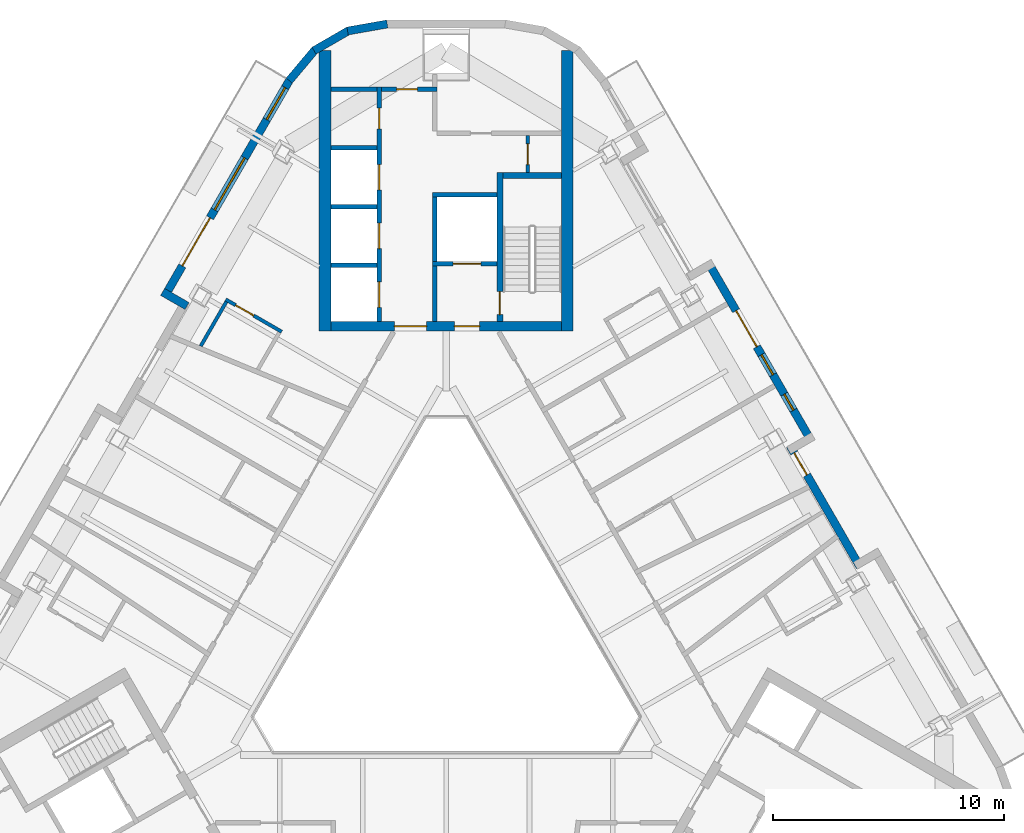
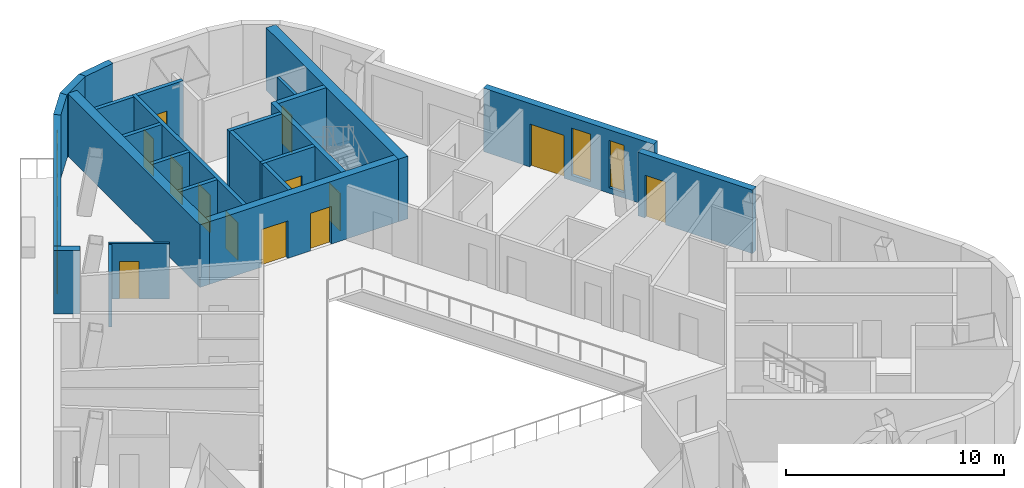
# One storey, part 7 of 13: 25 walls, 14 doors, 4 windows, 18 openings.
"""IFC4 building model written with IfcOpenShell, lengths in metres."""

from ifc_helpers import new_model, si_unit, direction, frame, frame_2d, origin, place, context, subcontext, project, spatial, rectangle, extrude, material, layer, layer_set, type_object, element, fill, save


model = new_model("IFC4")

# Units and contexts
model_context = context("Model", 3, precision=1e-05, world=origin(), true_north=direction((0.0, 1.0)))
body_context = subcontext(model_context, "Body", "Model", "MODEL_VIEW")
ifc_project = project(units=[si_unit("LENGTHUNIT", "METRE"), si_unit("AREAUNIT", "SQUARE_METRE"), si_unit("VOLUMEUNIT", "CUBIC_METRE"), si_unit("PLANEANGLEUNIT", "RADIAN"), si_unit("MASSUNIT", "GRAM", prefix="KILO")], contexts=[model_context])

# Site, building, storey
site_placement = place(None, origin())
site = spatial("IfcSite", under=ifc_project, at=site_placement, CompositionType="ELEMENT")
building_placement = place(site_placement, origin())
building = spatial("IfcBuilding", under=site, at=building_placement, Name="Apuvela Tower Hotel", CompositionType="ELEMENT")
storey_placement = place(building_placement, frame((0.0, 0.0, 287.39990234375)))
storey = spatial("IfcBuildingStorey", under=building, at=storey_placement, Name="L71", CompositionType="ELEMENT", Elevation=287.39990234375)

# Wall, openings, doors
ifc_material_1 = material(Name="Concrete C50/60", Category="concrete")
ifc_layer_1 = layer(ifc_material_1, 0.39990234375)
ifc_layer_set_1 = layer_set([ifc_layer_1], Name="COR-WALL-CORE-400")
wall_type_1 = type_object("IfcWallType", Name="COR-WALL-CORE-400", PredefinedType="SHEAR", material=ifc_layer_set_1)
wall_1_placement = place(storey_placement, frame((5.0, 13.10009765625, 0.0), z_axis=(0.0, 0.0, 1.0), x_axis=(-1.0, 0.0, 0.0)))
wall_1 = element("IfcWall", 1, at=wall_1_placement, inside=storey, type_object=wall_type_1, Name="Core wall N", PredefinedType="SHEAR", context=body_context, shape_type="SweptSolid", body=[
    extrude(rectangle(XDim=10.0, YDim=0.39990234375, at=frame_2d((5.0, 0.0))), origin(), (0.0, 0.0, 1.0), 3.5),
])
opening_1_placement = place(wall_1_placement, frame((3.550048828125, 0.0, 0.0)))
opening_1 = element("IfcOpeningElement", 2, at=opening_1_placement, cuts=wall_1, Name="Opening N-FD", PredefinedType="OPENING", context=body_context, shape_type="SweptSolid", body=[
    extrude(rectangle(XDim=1.10009765625, YDim=2.10009765625, at=frame_2d((0.550048828125, 1.050048828125))), frame((0.0, 0.2099609375, 0.0), z_axis=(0.0, -1.0, 0.0), x_axis=(1.0, 0.0, 0.0)), (0.0, 0.0, 1.0), 0.419921875),
])
opening_2_placement = place(wall_1_placement, frame((5.85009765625, 0.0, 0.0)))
opening_2 = element("IfcOpeningElement", 3, at=opening_2_placement, cuts=wall_1, Name="Opening N-GD", PredefinedType="OPENING", context=body_context, shape_type="SweptSolid", body=[
    extrude(rectangle(XDim=1.39990234375, YDim=2.10009765625, at=frame_2d((0.699951171875, 1.050048828125))), frame((0.0, 0.2099609375, 0.0), z_axis=(0.0, -1.0, 0.0), x_axis=(1.0, 0.0, 0.0)), (0.0, 0.0, 1.0), 0.419921875),
])
ifc_material_2 = material(Name="Steel fire door, powder coated", Category="steel")
door_type_1 = type_object("IfcDoorType", Name="COR-FD-1100", OperationType="NOTDEFINED", PredefinedType="DOOR", material=ifc_material_2)
door_1_placement = place(opening_1_placement, frame((1.10009765625, 0.0, 0.0), z_axis=(0.0, 0.0, 1.0), x_axis=(-1.0, 0.0, 0.0)))
door_1 = element("IfcDoor", 4, at=door_1_placement, inside=storey, type_object=door_type_1, Name="Firefighting lobby door N-FD", OperationType="SINGLE_SWING_LEFT", OverallHeight=2.10009765625, OverallWidth=1.10009765625, PredefinedType="DOOR", context=body_context, shape_type="SweptSolid", body=[
    extrude(rectangle(XDim=1.10009765625, YDim=2.10009765625, at=frame_2d((0.550048828125, 1.050048828125))), frame((0.0, 0.02490234375, 0.0), z_axis=(0.0, -1.0, 0.0), x_axis=(1.0, 0.0, 0.0)), (0.0, 0.0, 1.0), 0.050048828125),
])
fill(opening_1, door_1)
ifc_material_3 = material(Name="Glazed steel fire door", Category="steel")
door_type_2 = type_object("IfcDoorType", Name="COR-GD-1400", OperationType="DOUBLE_DOOR_SINGLE_SWING", PredefinedType="DOOR", material=ifc_material_3)
door_2_placement = place(opening_2_placement, frame((1.39990234375, 0.0, 0.0), z_axis=(0.0, 0.0, 1.0), x_axis=(-1.0, 0.0, 0.0)))
door_2 = element("IfcDoor", 5, at=door_2_placement, inside=storey, type_object=door_type_2, Name="Lift lobby door N-GD", OperationType="DOUBLE_DOOR_SINGLE_SWING", OverallHeight=2.10009765625, OverallWidth=1.39990234375, PredefinedType="DOOR", context=body_context, shape_type="SweptSolid", body=[
    extrude(rectangle(XDim=1.39990234375, YDim=2.10009765625, at=frame_2d((0.699951171875, 1.050048828125))), frame((0.0, 0.02490234375, 0.0), z_axis=(0.0, -1.0, 0.0), x_axis=(1.0, 0.0, 0.0)), (0.0, 0.0, 1.0), 0.050048828125),
])
fill(opening_2, door_2)

# Walls
ifc_layer_2 = layer(ifc_material_1, 0.5)
ifc_layer_set_2 = layer_set([ifc_layer_2], Name="COR-WALL-CORE-500")
wall_type_2 = type_object("IfcWallType", Name="COR-WALL-CORE-500", PredefinedType="SHEAR", material=ifc_layer_set_2)
for number, where, z_axis, x_axis, name in (
    (6, (5.25, 12.89990234375, 0.0), (0.0, 0.0, 1.0), (0.0, 1.0, 0.0), "Core wall N"),
    (7, (-5.25, 12.89990234375, 0.0), (0.0, 0.0, 1.0), (0.0, 1.0, 0.0), "Core wall N"),
):
    element("IfcWall", number, at=place(storey_placement, frame(where, z_axis=z_axis, x_axis=x_axis)), inside=storey, type_object=wall_type_2, Name=name, PredefinedType="SHEAR", context=body_context, shape_type="SweptSolid", body=[
        extrude(rectangle(XDim=12.12890625, YDim=0.5, at=frame_2d((6.064453125, 0.0))), origin(), (0.0, 0.0, 1.0), 3.5),
    ])

# Wall, opening, door
ifc_material_4 = material(Name="Blockwork 150 mm plastered", Category="masonry")
ifc_layer_3 = layer(ifc_material_4, 0.14990234375)
ifc_layer_set_3 = layer_set([ifc_layer_3], Name="COR-WALL-PART-150")
wall_type_3 = type_object("IfcWallType", Name="COR-WALL-PART-150", PredefinedType="PARTITIONING", material=ifc_layer_set_3)
wall_2_placement = place(storey_placement, frame((3.52490234375, 19.75, 0.0), z_axis=(0.0, 0.0, 1.0), x_axis=(0.0, 1.0, 0.0)))
wall_2 = element("IfcWall", 8, at=wall_2_placement, inside=storey, type_object=wall_type_3, Name="Partition N", PredefinedType="PARTITIONING", context=body_context, shape_type="SweptSolid", body=[
    extrude(rectangle(XDim=1.60009765625, YDim=0.14990234375, at=frame_2d((0.800048828125, 0.0))), origin(), (0.0, 0.0, 1.0), 3.5),
])
opening_3_placement = place(wall_2_placement, frame((0.35009765625, 0.0, 0.0)))
opening_3 = element("IfcOpeningElement", 9, at=opening_3_placement, cuts=wall_2, Name="Opening N-RD", PredefinedType="OPENING", context=body_context, shape_type="SweptSolid", body=[
    extrude(rectangle(XDim=0.89990234375, YDim=2.10009765625, at=frame_2d((0.449951171875, 1.050048828125))), frame((0.0, 0.0849609375, 0.0), z_axis=(0.0, -1.0, 0.0), x_axis=(1.0, 0.0, 0.0)), (0.0, 0.0, 1.0), 0.169921875),
])
ifc_material_5 = material(Name="Steel access door, powder coated", Category="steel")
door_type_3 = type_object("IfcDoorType", Name="COR-RD-900", OperationType="NOTDEFINED", PredefinedType="DOOR", material=ifc_material_5)
door_3_placement = place(opening_3_placement, frame((0.89990234375, 0.0, 0.0), z_axis=(0.0, 0.0, 1.0), x_axis=(-1.0, 0.0, 0.0)))
door_3 = element("IfcDoor", 10, at=door_3_placement, inside=storey, type_object=door_type_3, Name="Riser door N-RD", OperationType="SINGLE_SWING_RIGHT", OverallHeight=2.10009765625, OverallWidth=0.89990234375, PredefinedType="DOOR", context=body_context, shape_type="SweptSolid", body=[
    extrude(rectangle(XDim=0.89990234375, YDim=2.10009765625, at=frame_2d((0.449951171875, 1.050048828125))), frame((0.0, 0.02490234375, 0.0), z_axis=(0.0, -1.0, 0.0), x_axis=(1.0, 0.0, 0.0)), (0.0, 0.0, 1.0), 0.050048828125),
])
fill(opening_3, door_3)

# Wall
ifc_layer_4 = layer(ifc_material_1, 0.199951171875)
ifc_layer_set_4 = layer_set([ifc_layer_4], Name="COR-WALL-SHAFT-200")
wall_type_4 = type_object("IfcWallType", Name="COR-WALL-SHAFT-200", PredefinedType="SHEAR", material=ifc_layer_set_4)
wall_3_placement = place(storey_placement, frame((2.199951171875, 18.800048828125, 0.0), z_axis=(0.0, 0.0, 1.0), x_axis=(-1.0, 0.0, 0.0)))
element("IfcWall", 11, at=wall_3_placement, inside=storey, type_object=wall_type_4, Name="Shaft wall N", PredefinedType="SHEAR", context=body_context, shape_type="SweptSolid", body=[
    extrude(rectangle(XDim=2.800048828125, YDim=0.199951171875, at=frame_2d((1.39990234375, 0.0))), origin(), (0.0, 0.0, 1.0), 3.5),
])

# Wall, opening, door
wall_4_placement = place(storey_placement, frame((2.199951171875, 15.800048828125, 0.0), z_axis=(0.0, 0.0, 1.0), x_axis=(-1.0, 0.0, 0.0)))
wall_4 = element("IfcWall", 12, at=wall_4_placement, inside=storey, type_object=wall_type_4, Name="Shaft wall N", PredefinedType="SHEAR", context=body_context, shape_type="SweptSolid", body=[
    extrude(rectangle(XDim=2.800048828125, YDim=0.199951171875, at=frame_2d((1.39990234375, 0.0))), origin(), (0.0, 0.0, 1.0), 3.5),
])
opening_4_placement = place(wall_4_placement, frame((0.699951171875, 0.0, 0.0)))
opening_4 = element("IfcOpeningElement", 13, at=opening_4_placement, cuts=wall_4, Name="Opening N-LD-FS1", PredefinedType="OPENING", context=body_context, shape_type="SweptSolid", body=[
    extrude(rectangle(XDim=1.199951171875, YDim=2.10009765625, at=frame_2d((0.60009765625, 1.050048828125))), frame((0.0, 0.10986328125, 0.0), z_axis=(0.0, -1.0, 0.0), x_axis=(1.0, 0.0, 0.0)), (0.0, 0.0, 1.0), 0.219970703125),
])
ifc_material_6 = material(Name="Stainless steel lift landing door", Category="steel")
door_type_4 = type_object("IfcDoorType", Name="COR-LD-1200", OperationType="DOUBLE_DOOR_SLIDING", PredefinedType="DOOR", material=ifc_material_6)
door_4_placement = place(opening_4_placement, origin())
door_4 = element("IfcDoor", 14, at=door_4_placement, inside=storey, type_object=door_type_4, Name="Lift landing door N-LD-FS1", OperationType="DOUBLE_DOOR_SLIDING", OverallHeight=2.10009765625, OverallWidth=1.199951171875, PredefinedType="DOOR", context=body_context, shape_type="SweptSolid", body=[
    extrude(rectangle(XDim=1.199951171875, YDim=2.10009765625, at=frame_2d((0.60009765625, 1.050048828125))), frame((0.0, 0.02490234375, 0.0), z_axis=(0.0, -1.0, 0.0), x_axis=(1.0, 0.0, 0.0)), (0.0, 0.0, 1.0), 0.050048828125),
])
fill(opening_4, door_4)

# Walls
wall_5_placement = place(storey_placement, frame((-0.5, 15.89990234375, 0.0), z_axis=(0.0, 0.0, 1.0), x_axis=(0.0, 1.0, 0.0)))
element("IfcWall", 15, at=wall_5_placement, inside=storey, type_object=wall_type_4, Name="Shaft wall N", PredefinedType="SHEAR", context=body_context, shape_type="SweptSolid", body=[
    extrude(rectangle(XDim=2.800048828125, YDim=0.199951171875, at=frame_2d((1.39990234375, 0.0))), origin(), (0.0, 0.0, 1.0), 3.5),
])
wall_6_placement = place(storey_placement, frame((-0.5, 13.300048828125, 0.0), z_axis=(0.0, 0.0, 1.0), x_axis=(0.0, 1.0, 0.0)))
element("IfcWall", 16, at=wall_6_placement, inside=storey, type_object=wall_type_4, Name="Shaft wall N", PredefinedType="SHEAR", context=body_context, shape_type="SweptSolid", body=[
    extrude(rectangle(XDim=2.39990234375, YDim=0.199951171875, at=frame_2d((1.199951171875, 0.0))), origin(), (0.0, 0.0, 1.0), 3.5),
])

# Wall, openings, doors
wall_7_placement = place(storey_placement, frame((-2.89990234375, 13.300048828125, 0.0), z_axis=(0.0, 0.0, 1.0), x_axis=(0.0, 1.0, 0.0)))
wall_7 = element("IfcWall", 17, at=wall_7_placement, inside=storey, type_object=wall_type_4, Name="Shaft wall N", PredefinedType="SHEAR", context=body_context, shape_type="SweptSolid", body=[
    extrude(rectangle(XDim=10.159912109375, YDim=0.199951171875, at=frame_2d((5.080078125, 0.0))), origin(), (0.0, 0.0, 1.0), 3.5),
])
opening_5_placement = place(wall_7_placement, frame((0.6201171875, 0.0, 0.0)))
opening_5 = element("IfcOpeningElement", 18, at=opening_5_placement, cuts=wall_7, Name="Opening N-LD-HR1", PredefinedType="OPENING", context=body_context, shape_type="SweptSolid", body=[
    extrude(rectangle(XDim=1.10009765625, YDim=2.10009765625, at=frame_2d((0.550048828125, 1.050048828125))), frame((0.0, 0.10986328125, 0.0), z_axis=(0.0, -1.0, 0.0), x_axis=(1.0, 0.0, 0.0)), (0.0, 0.0, 1.0), 0.219970703125),
])
opening_6_placement = place(wall_7_placement, frame((3.159912109375, 0.0, 0.0)))
opening_6 = element("IfcOpeningElement", 19, at=opening_6_placement, cuts=wall_7, Name="Opening N-LD-HR2", PredefinedType="OPENING", context=body_context, shape_type="SweptSolid", body=[
    extrude(rectangle(XDim=1.10009765625, YDim=2.10009765625, at=frame_2d((0.550048828125, 1.050048828125))), frame((0.0, 0.10986328125, 0.0), z_axis=(0.0, -1.0, 0.0), x_axis=(1.0, 0.0, 0.0)), (0.0, 0.0, 1.0), 0.219970703125),
])
opening_7_placement = place(wall_7_placement, frame((5.699951171875, 0.0, 0.0)))
opening_7 = element("IfcOpeningElement", 20, at=opening_7_placement, cuts=wall_7, Name="Opening N-LD-HR4", PredefinedType="OPENING", context=body_context, shape_type="SweptSolid", body=[
    extrude(rectangle(XDim=1.10009765625, YDim=2.10009765625, at=frame_2d((0.550048828125, 1.050048828125))), frame((0.0, 0.10986328125, 0.0), z_axis=(0.0, -1.0, 0.0), x_axis=(1.0, 0.0, 0.0)), (0.0, 0.0, 1.0), 0.219970703125),
])
opening_8_placement = place(wall_7_placement, frame((8.340087890625, 0.0, 0.0)))
opening_8 = element("IfcOpeningElement", 21, at=opening_8_placement, cuts=wall_7, Name="Opening N-RE4", PredefinedType="OPENING", context=body_context, shape_type="SweptSolid", body=[
    extrude(rectangle(XDim=0.89990234375, YDim=2.10009765625, at=frame_2d((0.449951171875, 1.050048828125))), frame((0.0, 0.10986328125, 0.0), z_axis=(0.0, -1.0, 0.0), x_axis=(1.0, 0.0, 0.0)), (0.0, 0.0, 1.0), 0.219970703125),
])
door_type_5 = type_object("IfcDoorType", Name="COR-DR-900", OperationType="NOTDEFINED", PredefinedType="DOOR", material=ifc_material_2)
door_5_placement = place(opening_8_placement, origin())
door_5 = element("IfcDoor", 22, at=door_5_placement, inside=storey, type_object=door_type_5, Name="Store door N-RE4", OperationType="SINGLE_SWING_LEFT", OverallHeight=2.10009765625, OverallWidth=0.89990234375, PredefinedType="DOOR", context=body_context, shape_type="SweptSolid", body=[
    extrude(rectangle(XDim=0.89990234375, YDim=2.10009765625, at=frame_2d((0.449951171875, 1.050048828125))), frame((0.0, 0.02490234375, 0.0), z_axis=(0.0, -1.0, 0.0), x_axis=(1.0, 0.0, 0.0)), (0.0, 0.0, 1.0), 0.050048828125),
])
fill(opening_8, door_5)
door_type_6 = type_object("IfcDoorType", Name="COR-LD-1100", OperationType="DOUBLE_DOOR_SLIDING", PredefinedType="DOOR", material=ifc_material_6)
door_6_placement = place(opening_5_placement, origin())
door_6 = element("IfcDoor", 23, at=door_6_placement, inside=storey, type_object=door_type_6, Name="Lift landing door N-LD-HR1", OperationType="DOUBLE_DOOR_SLIDING", OverallHeight=2.10009765625, OverallWidth=1.10009765625, PredefinedType="DOOR", context=body_context, shape_type="SweptSolid", body=[
    extrude(rectangle(XDim=1.10009765625, YDim=2.10009765625, at=frame_2d((0.550048828125, 1.050048828125))), frame((0.0, 0.02490234375, 0.0), z_axis=(0.0, -1.0, 0.0), x_axis=(1.0, 0.0, 0.0)), (0.0, 0.0, 1.0), 0.050048828125),
])
fill(opening_5, door_6)
door_7_placement = place(opening_6_placement, origin())
door_7 = element("IfcDoor", 24, at=door_7_placement, inside=storey, type_object=door_type_6, Name="Lift landing door N-LD-HR2", OperationType="DOUBLE_DOOR_SLIDING", OverallHeight=2.10009765625, OverallWidth=1.10009765625, PredefinedType="DOOR", context=body_context, shape_type="SweptSolid", body=[
    extrude(rectangle(XDim=1.10009765625, YDim=2.10009765625, at=frame_2d((0.550048828125, 1.050048828125))), frame((0.0, 0.02490234375, 0.0), z_axis=(0.0, -1.0, 0.0), x_axis=(1.0, 0.0, 0.0)), (0.0, 0.0, 1.0), 0.050048828125),
])
fill(opening_6, door_7)
door_8_placement = place(opening_7_placement, origin())
door_8 = element("IfcDoor", 25, at=door_8_placement, inside=storey, type_object=door_type_6, Name="Lift landing door N-LD-HR4", OperationType="DOUBLE_DOOR_SLIDING", OverallHeight=2.10009765625, OverallWidth=1.10009765625, PredefinedType="DOOR", context=body_context, shape_type="SweptSolid", body=[
    extrude(rectangle(XDim=1.10009765625, YDim=2.10009765625, at=frame_2d((0.550048828125, 1.050048828125))), frame((0.0, 0.02490234375, 0.0), z_axis=(0.0, -1.0, 0.0), x_axis=(1.0, 0.0, 0.0)), (0.0, 0.0, 1.0), 0.050048828125),
])
fill(opening_7, door_8)

# Wall, opening, door
wall_8_placement = place(storey_placement, frame((-0.39990234375, 23.360107421875, 0.0), z_axis=(0.0, 0.0, 1.0), x_axis=(-1.0, 0.0, 0.0)))
wall_8 = element("IfcWall", 26, at=wall_8_placement, inside=storey, type_object=wall_type_4, Name="Shaft wall N", PredefinedType="SHEAR", context=body_context, shape_type="SweptSolid", body=[
    extrude(rectangle(XDim=2.400146484375, YDim=0.199951171875, at=frame_2d((1.2001953125, 0.0))), origin(), (0.0, 0.0, 1.0), 3.5),
])
opening_9_placement = place(wall_8_placement, frame((0.85009765625, 0.0, 0.0)))
opening_9 = element("IfcOpeningElement", 27, at=opening_9_placement, cuts=wall_8, Name="Opening N-REP", PredefinedType="OPENING", context=body_context, shape_type="SweptSolid", body=[
    extrude(rectangle(XDim=0.89990234375, YDim=2.10009765625, at=frame_2d((0.449951171875, 1.050048828125))), frame((0.0, 0.10986328125, 0.0), z_axis=(0.0, -1.0, 0.0), x_axis=(1.0, 0.0, 0.0)), (0.0, 0.0, 1.0), 0.219970703125),
])
door_9_placement = place(opening_9_placement, frame((0.89990234375, 0.0, 0.0), z_axis=(0.0, 0.0, 1.0), x_axis=(-1.0, 0.0, 0.0)))
door_9 = element("IfcDoor", 28, at=door_9_placement, inside=storey, type_object=door_type_5, Name="Store door N-REP", OperationType="SINGLE_SWING_LEFT", OverallHeight=2.10009765625, OverallWidth=0.89990234375, PredefinedType="DOOR", context=body_context, shape_type="SweptSolid", body=[
    extrude(rectangle(XDim=0.89990234375, YDim=2.10009765625, at=frame_2d((0.449951171875, 1.050048828125))), frame((0.0, 0.02490234375, 0.0), z_axis=(0.0, -1.0, 0.0), x_axis=(1.0, 0.0, 0.0)), (0.0, 0.0, 1.0), 0.050048828125),
])
fill(opening_9, door_9)

# Walls
for number, where, z_axis, x_axis, name in (
    (29, (-3.0, 15.739990234375, 0.0), (0.0, 0.0, 1.0), (-1.0, 0.0, 0.0), "Shaft wall N"),
    (30, (-3.0, 18.280029296875, 0.0), (0.0, 0.0, 1.0), (-1.0, 0.0, 0.0), "Shaft wall N"),
    (31, (-3.0, 20.820068359375, 0.0), (0.0, 0.0, 1.0), (-1.0, 0.0, 0.0), "Shaft wall N"),
    (32, (-3.0, 23.360107421875, 0.0), (0.0, 0.0, 1.0), (-1.0, 0.0, 0.0), "Shaft wall N"),
):
    element("IfcWall", number, at=place(storey_placement, frame(where, z_axis=z_axis, x_axis=x_axis)), inside=storey, type_object=wall_type_4, Name=name, PredefinedType="SHEAR", context=body_context, shape_type="SweptSolid", body=[
        extrude(rectangle(XDim=2.0, YDim=0.199951171875, at=frame_2d((1.0, 0.0))), origin(), (0.0, 0.0, 1.0), 3.5),
    ])

# Wall, opening, door
ifc_layer_5 = layer(ifc_material_1, 0.25)
ifc_layer_set_5 = layer_set([ifc_layer_5], Name="COR-WALL-STAIR-250")
wall_type_5 = type_object("IfcWallType", Name="COR-WALL-STAIR-250", PredefinedType="SHEAR", material=ifc_layer_set_5)
wall_9_placement = place(storey_placement, frame((2.324951171875, 13.300048828125, 0.0), z_axis=(0.0, 0.0, 1.0), x_axis=(0.0, 1.0, 0.0)))
wall_9 = element("IfcWall", 33, at=wall_9_placement, inside=storey, type_object=wall_type_5, Name="Stair wall N", PredefinedType="SHEAR", context=body_context, shape_type="SweptSolid", body=[
    extrude(rectangle(XDim=6.449951171875, YDim=0.25, at=frame_2d((3.22509765625, 0.0))), origin(), (0.0, 0.0, 1.0), 3.5),
])
opening_10_placement = place(wall_9_placement, frame((0.300048828125, 0.0, 0.0)))
opening_10 = element("IfcOpeningElement", 34, at=opening_10_placement, cuts=wall_9, Name="Opening N-SD", PredefinedType="OPENING", context=body_context, shape_type="SweptSolid", body=[
    extrude(rectangle(XDim=1.0, YDim=2.10009765625, at=frame_2d((0.5, 1.050048828125))), frame((0.0, 0.135009765625, 0.0), z_axis=(0.0, -1.0, 0.0), x_axis=(1.0, 0.0, 0.0)), (0.0, 0.0, 1.0), 0.27001953125),
])
door_type_7 = type_object("IfcDoorType", Name="COR-SD-1000", OperationType="NOTDEFINED", PredefinedType="DOOR", material=ifc_material_2)
door_10_placement = place(opening_10_placement, frame((1.0, 0.0, 0.0), z_axis=(0.0, 0.0, 1.0), x_axis=(-1.0, 0.0, 0.0)))
door_10 = element("IfcDoor", 35, at=door_10_placement, inside=storey, type_object=door_type_7, Name="Stair door N-SD", OperationType="SINGLE_SWING_LEFT", OverallHeight=2.10009765625, OverallWidth=1.0, PredefinedType="DOOR", context=body_context, shape_type="SweptSolid", body=[
    extrude(rectangle(XDim=1.0, YDim=2.10009765625, at=frame_2d((0.5, 1.050048828125))), frame((0.0, 0.02490234375, 0.0), z_axis=(0.0, -1.0, 0.0), x_axis=(1.0, 0.0, 0.0)), (0.0, 0.0, 1.0), 0.050048828125),
])
fill(opening_10, door_10)

# Wall
wall_10_placement = place(storey_placement, frame((5.0, 19.625, 0.0), z_axis=(0.0, 0.0, 1.0), x_axis=(-1.0, 0.0, 0.0)))
element("IfcWall", 36, at=wall_10_placement, inside=storey, type_object=wall_type_5, Name="Stair wall N", PredefinedType="SHEAR", context=body_context, shape_type="SweptSolid", body=[
    extrude(rectangle(XDim=2.550048828125, YDim=0.25, at=frame_2d((1.27490234375, 0.0))), origin(), (0.0, 0.0, 1.0), 3.5),
])

# Wall, openings, door, windows
ifc_material_7 = material(Name="Concrete C40/50, dark pigmented precast panel", Category="concrete")
ifc_layer_6 = layer(ifc_material_7, 0.35009765625)
ifc_layer_set_6 = layer_set([ifc_layer_6], Name="ENV-WALL-350")
wall_type_6 = type_object("IfcWallType", Name="ENV-WALL-350", PredefinedType="SOLIDWALL", material=ifc_layer_set_6)
wall_11_placement = place(storey_placement, frame((-6.78271484375, 23.759521484375, 0.0), z_axis=(0.0, 0.0, 1.0), x_axis=(-0.500001780095, -0.866024376044, 0.0)))
wall_11 = element("IfcWall", 37, at=wall_11_placement, inside=storey, type_object=wall_type_6, Name="External wall L71-01", PredefinedType="SOLIDWALL", context=body_context, shape_type="SweptSolid", body=[
    extrude(rectangle(XDim=10.86962890625, YDim=0.35009765625, at=frame_2d((5.434814453125, 0.0))), origin(), (0.0, 0.0, 1.0), 3.550048828125),
])
opening_11_placement = place(wall_11_placement, frame((0.380615234375, 0.0, 0.300048828125)))
opening_11 = element("IfcOpeningElement", 38, at=opening_11_placement, cuts=wall_11, Name="Opening WN16", PredefinedType="OPENING", context=body_context, shape_type="SweptSolid", body=[
    extrude(rectangle(XDim=1.60009765625, YDim=2.64990234375, at=frame_2d((0.800048828125, 1.324951171875))), frame((0.0, 0.18505859375, 0.0), z_axis=(0.0, -1.0, 0.0), x_axis=(1.0, 0.0, 0.0)), (0.0, 0.0, 1.0), 0.3701171875),
])
opening_12_placement = place(wall_11_placement, frame((6.89013671875, 0.0, 0.0)))
opening_12 = element("IfcOpeningElement", 39, at=opening_12_placement, cuts=wall_11, Name="Opening BD24", PredefinedType="OPENING", context=body_context, shape_type="SweptSolid", body=[
    extrude(rectangle(XDim=2.39990234375, YDim=2.39990234375, at=frame_2d((1.199951171875, 1.199951171875))), frame((0.0, 0.18505859375, 0.0), z_axis=(0.0, -1.0, 0.0), x_axis=(1.0, 0.0, 0.0)), (0.0, 0.0, 1.0), 0.3701171875),
])
opening_13_placement = place(wall_11_placement, frame((3.89208984375, 0.0, 0.300048828125)))
opening_13 = element("IfcOpeningElement", 40, at=opening_13_placement, cuts=wall_11, Name="Opening WN26", PredefinedType="OPENING", context=body_context, shape_type="SweptSolid", body=[
    extrude(rectangle(XDim=2.60009765625, YDim=2.64990234375, at=frame_2d((1.300048828125, 1.324951171875))), frame((0.0, 0.18505859375, 0.0), z_axis=(0.0, -1.0, 0.0), x_axis=(1.0, 0.0, 0.0)), (0.0, 0.0, 1.0), 0.3701171875),
])
ifc_material_8 = material(Name="Aluminium 6063-T6, dark bronze anodised frame with dark tinted laminated glass", Category="aluminium")
door_type_8 = type_object("IfcDoorType", Name="ENV-DOOR-BALCONY-2400x2400", OperationType="SLIDING_TO_LEFT", PredefinedType="DOOR", material=ifc_material_8)
door_11_placement = place(opening_12_placement, frame((2.39990234375, 0.0, 0.0), z_axis=(0.0, 0.0, 1.0), x_axis=(-1.0, 0.0, 0.0)))
door_11 = element("IfcDoor", 41, at=door_11_placement, inside=storey, type_object=door_type_8, Name="Balcony door BD24", OperationType="SLIDING_TO_LEFT", OverallHeight=2.39990234375, OverallWidth=2.39990234375, PredefinedType="DOOR", context=body_context, shape_type="SweptSolid", body=[
    extrude(rectangle(XDim=2.39990234375, YDim=2.39990234375, at=frame_2d((1.199951171875, 1.199951171875))), frame((0.0, 0.02490234375, 0.0), z_axis=(0.0, -1.0, 0.0), x_axis=(1.0, 0.0, 0.0)), (0.0, 0.0, 1.0), 0.050048828125),
])
fill(opening_12, door_11)
ifc_material_9 = material(Name="Glass, dark tinted laminated insulated glazing unit", Category="glass")
window_type_1 = type_object("IfcWindowType", Name="ENV-WIN-1600x2650", PartitioningType="SINGLE_PANEL", PredefinedType="WINDOW", material=ifc_material_9)
window_1_placement = place(opening_11_placement, origin())
window_1 = element("IfcWindow", 42, at=window_1_placement, inside=storey, type_object=window_type_1, Name="Window WN16", OverallHeight=2.64990234375, OverallWidth=1.60009765625, PartitioningType="SINGLE_PANEL", PredefinedType="WINDOW", context=body_context, shape_type="SweptSolid", body=[
    extrude(rectangle(XDim=1.60009765625, YDim=2.64990234375, at=frame_2d((0.800048828125, 1.324951171875))), frame((0.0, 0.030029296875, 0.0), z_axis=(0.0, -1.0, 0.0), x_axis=(1.0, 0.0, 0.0)), (0.0, 0.0, 1.0), 0.06005859375),
])
fill(opening_11, window_1)
window_type_2 = type_object("IfcWindowType", Name="ENV-WIN-2600x2650", PartitioningType="SINGLE_PANEL", PredefinedType="WINDOW", material=ifc_material_9)
window_2_placement = place(opening_13_placement, origin())
window_2 = element("IfcWindow", 43, at=window_2_placement, inside=storey, type_object=window_type_2, Name="Window WN26", OverallHeight=2.64990234375, OverallWidth=2.60009765625, PartitioningType="SINGLE_PANEL", PredefinedType="WINDOW", context=body_context, shape_type="SweptSolid", body=[
    extrude(rectangle(XDim=2.60009765625, YDim=2.64990234375, at=frame_2d((1.300048828125, 1.324951171875))), frame((0.0, 0.030029296875, 0.0), z_axis=(0.0, -1.0, 0.0), x_axis=(1.0, 0.0, 0.0)), (0.0, 0.0, 1.0), 0.06005859375),
])
fill(opening_13, window_2)

# Wall
wall_12_placement = place(storey_placement, frame((-12.281494140625, 14.585205078125, 0.0), z_axis=(0.0, 0.0, 1.0), x_axis=(0.866005645448, -0.500034220881, 0.0)))
element("IfcWall", 44, at=wall_12_placement, inside=storey, type_object=wall_type_6, Name="External wall L71-02", PredefinedType="SOLIDWALL", context=body_context, shape_type="SweptSolid", body=[
    extrude(rectangle(XDim=1.22021484375, YDim=0.35009765625, at=frame_2d((0.610107421875, 0.0))), origin(), (0.0, 0.0, 1.0), 3.550048828125),
])

# Wall, opening, door
wall_13_placement = place(storey_placement, frame((17.913330078125, 2.680419921875, 0.0), z_axis=(0.0, 0.0, 1.0), x_axis=(-0.499985371027, 0.866033849661, 0.0)))
wall_13 = element("IfcWall", 45, at=wall_13_placement, inside=storey, type_object=wall_type_6, Name="External wall L71-35", PredefinedType="SOLIDWALL", context=body_context, shape_type="SweptSolid", body=[
    extrude(rectangle(XDim=6.055419921875, YDim=0.35009765625, at=frame_2d((3.02783203125, 0.0))), origin(), (0.0, 0.0, 1.0), 3.550048828125),
])
opening_14_placement = place(wall_13_placement, frame((4.58984375, 0.0, 0.0)))
opening_14 = element("IfcOpeningElement", 46, at=opening_14_placement, cuts=wall_13, Name="Opening BD11", PredefinedType="OPENING", context=body_context, shape_type="SweptSolid", body=[
    extrude(rectangle(XDim=1.10009765625, YDim=2.39990234375, at=frame_2d((0.550048828125, 1.199951171875))), frame((0.0, 0.18505859375, 0.0), z_axis=(0.0, -1.0, 0.0), x_axis=(1.0, 0.0, 0.0)), (0.0, 0.0, 1.0), 0.3701171875),
])
door_type_9 = type_object("IfcDoorType", Name="ENV-DOOR-BALCONY-1100x2400", OperationType="SLIDING_TO_LEFT", PredefinedType="DOOR", material=ifc_material_8)
door_12_placement = place(opening_14_placement, frame((1.10009765625, 0.0, 0.0), z_axis=(0.0, 0.0, 1.0), x_axis=(-1.0, 0.0, 0.0)))
door_12 = element("IfcDoor", 47, at=door_12_placement, inside=storey, type_object=door_type_9, Name="Balcony door BD11", OperationType="SLIDING_TO_LEFT", OverallHeight=2.39990234375, OverallWidth=1.10009765625, PredefinedType="DOOR", context=body_context, shape_type="SweptSolid", body=[
    extrude(rectangle(XDim=1.10009765625, YDim=2.39990234375, at=frame_2d((0.550048828125, 1.199951171875))), frame((0.0, 0.02490234375, 0.0), z_axis=(0.0, -1.0, 0.0), x_axis=(1.0, 0.0, 0.0)), (0.0, 0.0, 1.0), 0.050048828125),
])
fill(opening_14, door_12)

# Wall, openings, door, windows
wall_14_placement = place(storey_placement, frame((15.8251953125, 8.097412109375, 0.0), z_axis=(0.0, 0.0, 1.0), x_axis=(-0.500006872736, 0.866021435772, 0.0)))
wall_14 = element("IfcWall", 48, at=wall_14_placement, inside=storey, type_object=wall_type_6, Name="External wall L71-37", PredefinedType="SOLIDWALL", context=body_context, shape_type="SweptSolid", body=[
    extrude(rectangle(XDim=9.015380859375, YDim=0.35009765625, at=frame_2d((4.5078125, 0.0))), origin(), (0.0, 0.0, 1.0), 3.550048828125),
])
opening_15_placement = place(wall_14_placement, frame((1.57861328125, 0.0, 0.300048828125)))
opening_15 = element("IfcOpeningElement", 49, at=opening_15_placement, cuts=wall_14, Name="Opening WN08", PredefinedType="OPENING", context=body_context, shape_type="SweptSolid", body=[
    extrude(rectangle(XDim=0.800048828125, YDim=2.64990234375, at=frame_2d((0.39990234375, 1.324951171875))), frame((0.0, 0.18505859375, 0.0), z_axis=(0.0, -1.0, 0.0), x_axis=(1.0, 0.0, 0.0)), (0.0, 0.0, 1.0), 0.3701171875),
])
opening_16_placement = place(wall_14_placement, frame((4.75, 0.0, 0.0)))
opening_16 = element("IfcOpeningElement", 50, at=opening_16_placement, cuts=wall_14, Name="Opening BD18", PredefinedType="OPENING", context=body_context, shape_type="SweptSolid", body=[
    extrude(rectangle(XDim=1.800048828125, YDim=2.39990234375, at=frame_2d((0.89990234375, 1.199951171875))), frame((0.0, 0.18505859375, 0.0), z_axis=(0.0, -1.0, 0.0), x_axis=(1.0, 0.0, 0.0)), (0.0, 0.0, 1.0), 0.3701171875),
])
opening_17_placement = place(wall_14_placement, frame((3.35009765625, 0.0, 0.300048828125)))
opening_17 = element("IfcOpeningElement", 51, at=opening_17_placement, cuts=wall_14, Name="Opening WN10", PredefinedType="OPENING", context=body_context, shape_type="SweptSolid", body=[
    extrude(rectangle(XDim=1.0, YDim=2.64990234375, at=frame_2d((0.5, 1.324951171875))), frame((0.0, 0.18505859375, 0.0), z_axis=(0.0, -1.0, 0.0), x_axis=(1.0, 0.0, 0.0)), (0.0, 0.0, 1.0), 0.3701171875),
])
door_type_10 = type_object("IfcDoorType", Name="ENV-DOOR-BALCONY-1800x2400", OperationType="SLIDING_TO_LEFT", PredefinedType="DOOR", material=ifc_material_8)
door_13_placement = place(opening_16_placement, frame((1.800048828125, 0.0, 0.0), z_axis=(0.0, 0.0, 1.0), x_axis=(-1.0, 0.0, 0.0)))
door_13 = element("IfcDoor", 52, at=door_13_placement, inside=storey, type_object=door_type_10, Name="Balcony door BD18", OperationType="SLIDING_TO_LEFT", OverallHeight=2.39990234375, OverallWidth=1.800048828125, PredefinedType="DOOR", context=body_context, shape_type="SweptSolid", body=[
    extrude(rectangle(XDim=1.800048828125, YDim=2.39990234375, at=frame_2d((0.89990234375, 1.199951171875))), frame((0.0, 0.02490234375, 0.0), z_axis=(0.0, -1.0, 0.0), x_axis=(1.0, 0.0, 0.0)), (0.0, 0.0, 1.0), 0.050048828125),
])
fill(opening_16, door_13)
window_type_3 = type_object("IfcWindowType", Name="ENV-WIN-1000x2650", PartitioningType="SINGLE_PANEL", PredefinedType="WINDOW", material=ifc_material_9)
window_3_placement = place(opening_17_placement, origin())
window_3 = element("IfcWindow", 53, at=window_3_placement, inside=storey, type_object=window_type_3, Name="Window WN10", OverallHeight=2.64990234375, OverallWidth=1.0, PartitioningType="SINGLE_PANEL", PredefinedType="WINDOW", context=body_context, shape_type="SweptSolid", body=[
    extrude(rectangle(XDim=1.0, YDim=2.64990234375, at=frame_2d((0.5, 1.324951171875))), frame((0.0, 0.030029296875, 0.0), z_axis=(0.0, -1.0, 0.0), x_axis=(1.0, 0.0, 0.0)), (0.0, 0.0, 1.0), 0.06005859375),
])
fill(opening_17, window_3)
window_type_4 = type_object("IfcWindowType", Name="ENV-WIN-800x2650", PartitioningType="SINGLE_PANEL", PredefinedType="WINDOW", material=ifc_material_9)
window_4_placement = place(opening_15_placement, origin())
window_4 = element("IfcWindow", 54, at=window_4_placement, inside=storey, type_object=window_type_4, Name="Window WN08", OverallHeight=2.64990234375, OverallWidth=0.800048828125, PartitioningType="SINGLE_PANEL", PredefinedType="WINDOW", context=body_context, shape_type="SweptSolid", body=[
    extrude(rectangle(XDim=0.800048828125, YDim=2.64990234375, at=frame_2d((0.39990234375, 1.324951171875))), frame((0.0, 0.030029296875, 0.0), z_axis=(0.0, -1.0, 0.0), x_axis=(1.0, 0.0, 0.0)), (0.0, 0.0, 1.0), 0.06005859375),
])
fill(opening_15, window_4)

# Walls
for number, where, z_axis, x_axis, name in (
    (55, (-2.553466796875, 26.1865234375, 0.0), (0.0, 0.0, 1.0), (-0.984803276474, -0.173673563465, 0.0), "External wall L71-46"),
    (56, (-4.21435546875, 25.904296875, 0.0), (0.0, 0.0, 1.0), (-0.866038783226, -0.499976825411, 0.0), "External wall L71-47"),
    (57, (-5.6787109375, 25.071044921875, 0.0), (0.0, 0.0, 1.0), (-0.642768607723, -0.766060387258, 0.0), "External wall L71-48"),
):
    element("IfcWall", number, at=place(storey_placement, frame(where, z_axis=z_axis, x_axis=x_axis)), inside=storey, type_object=wall_type_6, Name=name, PredefinedType="SOLIDWALL", context=body_context, shape_type="SweptSolid", body=[
        extrude(rectangle(XDim=1.74462890625, YDim=0.35009765625, at=frame_2d((0.872314453125, 0.0))), origin(), (0.0, 0.0, 1.0), 3.550048828125),
    ])

# Wall, opening, door
ifc_material_10 = material(Name="Moisture-resistant gypsum board wet wall on steel stud", Category="steel")
ifc_layer_7 = layer(ifc_material_10, 0.14990234375)
ifc_layer_set_7 = layer_set([ifc_layer_7], Name="GST-PW3")
wall_type_7 = type_object("IfcWallType", Name="GST-PW3", PredefinedType="PARTITIONING", material=ifc_layer_set_7)
wall_15_placement = place(storey_placement, frame((-7.12451171875, 12.860107421875, 0.0), z_axis=(0.0, 0.0, 1.0), x_axis=(-0.866034573852, 0.49998411664, 0.0)))
wall_15 = element("IfcWall", 58, at=wall_15_placement, inside=storey, type_object=wall_type_7, Name="L71 partition 40", PredefinedType="PARTITIONING", context=body_context, shape_type="SweptSolid", body=[
    extrude(rectangle(XDim=2.7998046875, YDim=0.14990234375, at=frame_2d((1.39990234375, 0.0))), origin(), (0.0, 0.0, 1.0), 3.10009765625),
])
opening_18_placement = place(wall_15_placement, frame((1.39990234375, 0.0, 0.0)))
opening_18 = element("IfcOpeningElement", 59, at=opening_18_placement, cuts=wall_15, Name="Opening GD28-17", PredefinedType="OPENING", context=body_context, shape_type="SweptSolid", body=[
    extrude(rectangle(XDim=0.89990234375, YDim=2.10009765625, at=frame_2d((0.449951171875, 1.050048828125))), frame((0.0, 0.0849609375, 0.0), z_axis=(0.0, -1.0, 0.0), x_axis=(1.0, 0.0, 0.0)), (0.0, 0.0, 1.0), 0.169921875),
])
ifc_material_11 = material(Name="Timber door leaf in steel frame", Category="steel")
door_type_11 = type_object("IfcDoorType", Name="GST-D2", OperationType="NOTDEFINED", PredefinedType="DOOR", material=ifc_material_11)
door_14_placement = place(opening_18_placement, origin())
door_14 = element("IfcDoor", 60, at=door_14_placement, inside=storey, type_object=door_type_11, Name="Door L71-17", OperationType="SINGLE_SWING_RIGHT", OverallHeight=2.10009765625, OverallWidth=0.89990234375, PredefinedType="DOOR", context=body_context, shape_type="SweptSolid", body=[
    extrude(rectangle(XDim=0.89990234375, YDim=2.10009765625, at=frame_2d((0.449951171875, 1.050048828125))), frame((0.0, 0.02490234375, 0.0), z_axis=(0.0, -1.0, 0.0), x_axis=(1.0, 0.0, 0.0)), (0.0, 0.0, 1.0), 0.050048828125),
])
fill(opening_18, door_14)

# Wall
wall_16_placement = place(storey_placement, frame((-9.52197265625, 14.15771484375, 0.0), z_axis=(0.0, 0.0, 1.0), x_axis=(-0.49990681678, -0.866079196458, 0.0)))
element("IfcWall", 61, at=wall_16_placement, inside=storey, type_object=wall_type_7, Name="L71 partition 41", PredefinedType="PARTITIONING", context=body_context, shape_type="SweptSolid", body=[
    extrude(rectangle(XDim=2.21630859375, YDim=0.14990234375, at=frame_2d((1.108154296875, 0.0))), origin(), (0.0, 0.0, 1.0), 3.050048828125),
])

save(model, "model.ifc")
